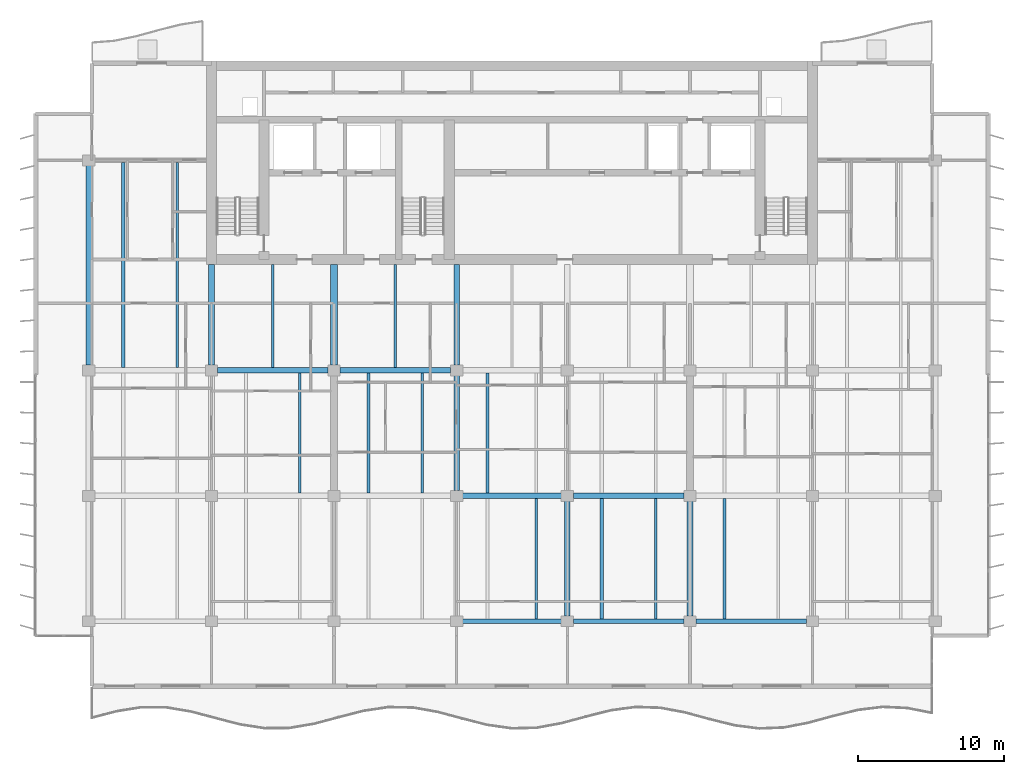
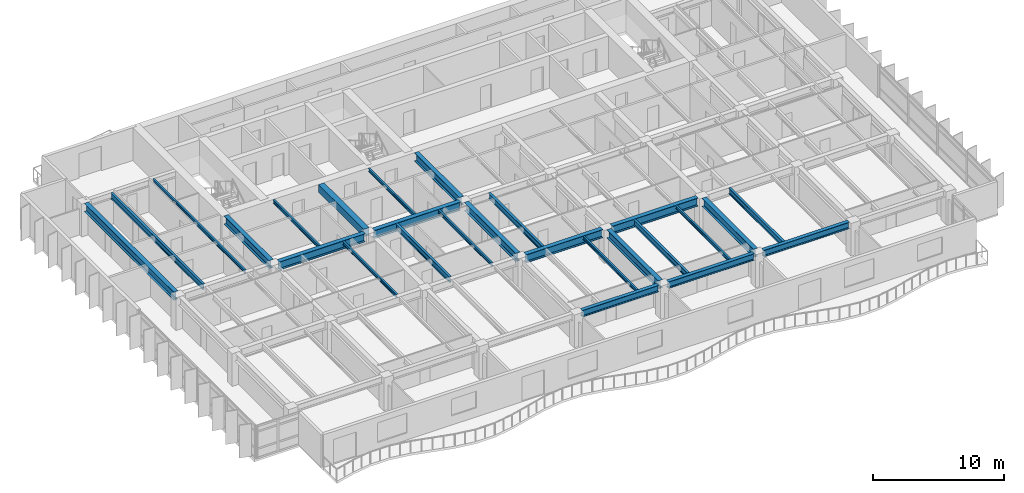
# One storey, part 3 of 17: 26 beams.
"""IFC4 building model written with IfcOpenShell, lengths in metres."""

from ifc_helpers import new_model, si_unit, direction, frame, origin, origin_2d, place, context, subcontext, project, spatial, rectangle, i_section, extrude, material, material_profile, profile_set, type_object, element, save


model = new_model("IFC4")

# Units and contexts
model_context = context("Model", 3, precision=1e-05, world=origin(), true_north=direction((0.0, 1.0)))
body_context = subcontext(model_context, "Body", "Model", "MODEL_VIEW")
ifc_project = project(units=[si_unit("LENGTHUNIT", "METRE"), si_unit("AREAUNIT", "SQUARE_METRE"), si_unit("VOLUMEUNIT", "CUBIC_METRE"), si_unit("PLANEANGLEUNIT", "RADIAN"), si_unit("MASSUNIT", "GRAM", prefix="KILO")], contexts=[model_context])

# Site, building, storey
site_placement = place(None, origin())
site = spatial("IfcSite", under=ifc_project, at=site_placement, CompositionType="ELEMENT")
building_placement = place(site_placement, origin())
building = spatial("IfcBuilding", under=site, at=building_placement, Name="Caelmar Bay Residences", CompositionType="ELEMENT")
storey_placement = place(building_placement, frame((0.0, 0.0, 208.199951171875)))
storey = spatial("IfcBuildingStorey", under=building, at=storey_placement, Name="L58", CompositionType="ELEMENT", Elevation=208.199951171875)

# Beams
ifc_material_1 = material(Name="Steel ASTM A992 Grade 50", Category="steel")
ifc_material_profile_1 = material_profile(ifc_material_1, i_section(OverallWidth=0.381103515625, OverallDepth=0.77197265625, WebThickness=0.0166015625, FlangeThickness=0.027099609375, FilletRadius=0.0166015625, at=origin_2d()), Name="W30X173")
ifc_profile_set_1 = profile_set([ifc_material_profile_1], Name="Steel ASTM A992 Grade 50")
beam_type_1 = type_object("IfcBeamType", Name="BM-GRD-W30X173", PredefinedType="BEAM", material=ifc_profile_set_1)
beam_1_placement = place(storey_placement, frame((35.514892578125, 20.800048828125, 2.6640625), z_axis=(1.0, 0.0, 0.0), x_axis=(0.0, 1.0, 0.0)))
element("IfcBeam", 1, at=beam_1_placement, inside=storey, type_object=beam_type_1, Name="L58 East-West Girder Y=20.80 (35.1-42.7)", PredefinedType="BEAM", context=body_context, shape_type="SweptSolid", body=[
    extrude(i_section(OverallWidth=0.381103515625, OverallDepth=0.77197265625, WebThickness=0.0166015625, FlangeThickness=0.027099609375, FilletRadius=0.0166015625, at=origin_2d()), origin(), (0.0, 0.0, 1.0), 6.77001953125),
])
beam_2_placement = place(storey_placement, frame((43.114990234375, 20.800048828125, 2.6640625), z_axis=(1.0, 0.0, 0.0), x_axis=(0.0, 1.0, 0.0)))
element("IfcBeam", 2, at=beam_2_placement, inside=storey, type_object=beam_type_1, Name="L58 East-West Girder Y=20.80 (42.7-51.1)", PredefinedType="BEAM", context=body_context, shape_type="SweptSolid", body=[
    extrude(i_section(OverallWidth=0.381103515625, OverallDepth=0.77197265625, WebThickness=0.0166015625, FlangeThickness=0.027099609375, FilletRadius=0.0166015625, at=origin_2d()), origin(), (0.0, 0.0, 1.0), 7.570068359375),
])
beam_3_placement = place(storey_placement, frame((18.715087890625, 29.39990234375, 2.6640625), z_axis=(1.0, 0.0, 0.0), x_axis=(0.0, 1.0, 0.0)))
element("IfcBeam", 3, at=beam_3_placement, inside=storey, type_object=beam_type_1, Name="L58 East-West Girder Y=29.40 (18.3-26.7)", PredefinedType="BEAM", context=body_context, shape_type="SweptSolid", body=[
    extrude(i_section(OverallWidth=0.381103515625, OverallDepth=0.77197265625, WebThickness=0.0166015625, FlangeThickness=0.027099609375, FilletRadius=0.0166015625, at=origin_2d()), origin(), (0.0, 0.0, 1.0), 7.56982421875),
])
beam_4_placement = place(storey_placement, frame((27.114990234375, 29.39990234375, 2.6640625), z_axis=(1.0, 0.0, 0.0), x_axis=(0.0, 1.0, 0.0)))
element("IfcBeam", 4, at=beam_4_placement, inside=storey, type_object=beam_type_1, Name="L58 East-West Girder Y=29.40 (26.7-35.1)", PredefinedType="BEAM", context=body_context, shape_type="SweptSolid", body=[
    extrude(i_section(OverallWidth=0.381103515625, OverallDepth=0.77197265625, WebThickness=0.0166015625, FlangeThickness=0.027099609375, FilletRadius=0.0166015625, at=origin_2d()), origin(), (0.0, 0.0, 1.0), 7.570068359375),
])
beam_5_placement = place(storey_placement, frame((9.89990234375, 29.764892578125, 2.6640625), z_axis=(0.0, 1.0, 0.0), x_axis=(-1.0, 0.0, 0.0)))
element("IfcBeam", 5, at=beam_5_placement, inside=storey, type_object=beam_type_1, Name="L58 North-South Girder X=9.90 (29.4-43.8)", PredefinedType="BEAM", context=body_context, shape_type="SweptSolid", body=[
    extrude(i_section(OverallWidth=0.381103515625, OverallDepth=0.77197265625, WebThickness=0.0166015625, FlangeThickness=0.027099609375, FilletRadius=0.0166015625, at=origin_2d()), origin(), (0.0, 0.0, 1.0), 13.670166015625),
])
for number, where, z_axis, x_axis, name in (
    (6, (18.300048828125, 29.764892578125, 2.6640625), (0.0, 1.0, 0.0), (-1.0, 0.0, 0.0), "L58 Core Tie Girder X=18.30"),
    (7, (35.10009765625, 29.764892578125, 2.6640625), (0.0, 1.0, 0.0), (-1.0, 0.0, 0.0), "L58 Core Tie Girder X=35.10"),
):
    element("IfcBeam", number, at=place(storey_placement, frame(where, z_axis=z_axis, x_axis=x_axis)), inside=storey, type_object=beam_type_1, Name=name, PredefinedType="BEAM", context=body_context, shape_type="SweptSolid", body=[
        extrude(i_section(OverallWidth=0.381103515625, OverallDepth=0.77197265625, WebThickness=0.0166015625, FlangeThickness=0.027099609375, FilletRadius=0.0166015625, at=origin_2d()), origin(), (0.0, 0.0, 1.0), 6.885009765625),
    ])
beam_6_placement = place(storey_placement, frame((35.10009765625, 21.1650390625, 2.6640625), z_axis=(0.0, 1.0, 0.0), x_axis=(-1.0, 0.0, 0.0)))
element("IfcBeam", 8, at=beam_6_placement, inside=storey, type_object=beam_type_1, Name="L58 North-South Girder X=35.10 (20.8-29.4)", PredefinedType="BEAM", context=body_context, shape_type="SweptSolid", body=[
    extrude(i_section(OverallWidth=0.381103515625, OverallDepth=0.77197265625, WebThickness=0.0166015625, FlangeThickness=0.027099609375, FilletRadius=0.0166015625, at=origin_2d()), origin(), (0.0, 0.0, 1.0), 7.869873046875),
])
for number, where, z_axis, x_axis, name in (
    (9, (42.699951171875, 12.56494140625, 2.6640625), (0.0, 1.0, 0.0), (-1.0, 0.0, 0.0), "L58 North-South Girder X=42.70 (12.2-20.8)"),
    (10, (51.10009765625, 12.56494140625, 2.6640625), (0.0, 1.0, 0.0), (-1.0, 0.0, 0.0), "L58 North-South Girder X=51.10 (12.2-20.8)"),
):
    element("IfcBeam", number, at=place(storey_placement, frame(where, z_axis=z_axis, x_axis=x_axis)), inside=storey, type_object=beam_type_1, Name=name, PredefinedType="BEAM", context=body_context, shape_type="SweptSolid", body=[
        extrude(i_section(OverallWidth=0.381103515625, OverallDepth=0.77197265625, WebThickness=0.0166015625, FlangeThickness=0.027099609375, FilletRadius=0.0166015625, at=origin_2d()), origin(), (0.0, 0.0, 1.0), 7.8701171875),
    ])
ifc_material_profile_2 = material_profile(ifc_material_1, i_section(OverallWidth=0.1650390625, OverallDepth=0.31005859375, WebThickness=0.005859375, FlangeThickness=0.009765625, FilletRadius=0.007568359375, at=origin_2d()), Name="W12X26")
ifc_profile_set_2 = profile_set([ifc_material_profile_2], Name="Steel ASTM A992 Grade 50")
beam_type_2 = type_object("IfcBeamType", Name="BM-JST-W12X26", PredefinedType="JOIST", material=ifc_profile_set_2)
for number, where, z_axis, x_axis, name in (
    (11, (40.572021484375, 12.362548828125, 2.89501953125), (0.0, 1.0, 0.0), (-1.0, 0.0, 0.0), "L58 Composite Floor Joist 8"),
    (12, (48.748046875, 12.362548828125, 2.89501953125), (0.0, 1.0, 0.0), (-1.0, 0.0, 0.0), "L58 Composite Floor Joist 10"),
):
    element("IfcBeam", number, at=place(storey_placement, frame(where, z_axis=z_axis, x_axis=x_axis)), inside=storey, type_object=beam_type_2, Name=name, PredefinedType="JOIST", context=body_context, shape_type="SweptSolid", body=[
        extrude(i_section(OverallWidth=0.1650390625, OverallDepth=0.31005859375, WebThickness=0.005859375, FlangeThickness=0.009765625, FilletRadius=0.007568359375, at=origin_2d()), origin(), (0.0, 0.0, 1.0), 8.2470703125),
    ])
for number, where, z_axis, x_axis, name in (
    (13, (24.347900390625, 20.990478515625, 2.89501953125), (0.0, 1.0, 0.0), (-1.0, 0.0, 0.0), "L58 Composite Floor Joist 18"),
    (14, (32.748046875, 20.990478515625, 2.89501953125), (0.0, 1.0, 0.0), (-1.0, 0.0, 0.0), "L58 Composite Floor Joist 20"),
):
    element("IfcBeam", number, at=place(storey_placement, frame(where, z_axis=z_axis, x_axis=x_axis)), inside=storey, type_object=beam_type_2, Name=name, PredefinedType="JOIST", context=body_context, shape_type="SweptSolid", body=[
        extrude(i_section(OverallWidth=0.1650390625, OverallDepth=0.31005859375, WebThickness=0.005859375, FlangeThickness=0.009765625, FilletRadius=0.007568359375, at=origin_2d()), origin(), (0.0, 0.0, 1.0), 8.218994140625),
    ])
for number, where, z_axis, x_axis, name in (
    (15, (22.5, 29.590576171875, 2.89501953125), (0.0, 1.0, 0.0), (-1.0, 0.0, 0.0), "L58 Core-Band Composite Joist 29"),
    (16, (30.89990234375, 29.590576171875, 2.89501953125), (0.0, 1.0, 0.0), (-1.0, 0.0, 0.0), "L58 Core-Band Composite Joist 30"),
):
    element("IfcBeam", number, at=place(storey_placement, frame(where, z_axis=z_axis, x_axis=x_axis)), inside=storey, type_object=beam_type_2, Name=name, PredefinedType="JOIST", context=body_context, shape_type="SweptSolid", body=[
        extrude(i_section(OverallWidth=0.1650390625, OverallDepth=0.31005859375, WebThickness=0.005859375, FlangeThickness=0.009765625, FilletRadius=0.007568359375, at=origin_2d()), origin(), (0.0, 0.0, 1.0), 7.059326171875),
    ])
beam_7_placement = place(storey_placement, frame((15.947998046875, 29.590576171875, 2.89501953125), z_axis=(0.0, 1.0, 0.0), x_axis=(-1.0, 0.0, 0.0)))
element("IfcBeam", 17, at=beam_7_placement, inside=storey, type_object=beam_type_2, Name="L58 Composite Floor Joist 35", PredefinedType="JOIST", context=body_context, shape_type="SweptSolid", body=[
    extrude(i_section(OverallWidth=0.1650390625, OverallDepth=0.31005859375, WebThickness=0.005859375, FlangeThickness=0.009765625, FilletRadius=0.007568359375, at=origin_2d()), origin(), (0.0, 0.0, 1.0), 14.046875),
])
ifc_material_profile_3 = material_profile(ifc_material_1, i_section(OverallWidth=0.2099609375, OverallDepth=0.535888671875, WebThickness=0.010986328125, FlangeThickness=0.017333984375, FilletRadius=0.0126953125, at=origin_2d()), Name="W21X68")
ifc_profile_set_3 = profile_set([ifc_material_profile_3], Name="Steel ASTM A992 Grade 50")
beam_type_3 = type_object("IfcBeamType", Name="BM-JST-W21X68", PredefinedType="JOIST", material=ifc_profile_set_3)
for number, where, z_axis, x_axis, name in (
    (18, (45.052001953125, 12.362548828125, 2.781982421875), (0.0, 1.0, 0.0), (-1.0, 0.0, 0.0), "L58 Composite Floor Joist 9"),
    (19, (53.451904296875, 12.362548828125, 2.781982421875), (0.0, 1.0, 0.0), (-1.0, 0.0, 0.0), "L58 Composite Floor Joist 11"),
):
    element("IfcBeam", number, at=place(storey_placement, frame(where, z_axis=z_axis, x_axis=x_axis)), inside=storey, type_object=beam_type_3, Name=name, PredefinedType="JOIST", context=body_context, shape_type="SweptSolid", body=[
        extrude(i_section(OverallWidth=0.2099609375, OverallDepth=0.535888671875, WebThickness=0.010986328125, FlangeThickness=0.017333984375, FilletRadius=0.0126953125, at=origin_2d()), origin(), (0.0, 0.0, 1.0), 8.2470703125),
    ])
for number, where, z_axis, x_axis, name in (
    (20, (29.052001953125, 20.990478515625, 2.781982421875), (0.0, 1.0, 0.0), (-1.0, 0.0, 0.0), "L58 Composite Floor Joist 19"),
    (21, (37.22802734375, 20.990478515625, 2.781982421875), (0.0, 1.0, 0.0), (-1.0, 0.0, 0.0), "L58 Composite Floor Joist 21"),
):
    element("IfcBeam", number, at=place(storey_placement, frame(where, z_axis=z_axis, x_axis=x_axis)), inside=storey, type_object=beam_type_3, Name=name, PredefinedType="JOIST", context=body_context, shape_type="SweptSolid", body=[
        extrude(i_section(OverallWidth=0.2099609375, OverallDepth=0.535888671875, WebThickness=0.010986328125, FlangeThickness=0.017333984375, FilletRadius=0.0126953125, at=origin_2d()), origin(), (0.0, 0.0, 1.0), 8.218994140625),
    ])
beam_8_placement = place(storey_placement, frame((12.251953125, 29.590576171875, 2.781982421875), z_axis=(0.0, 1.0, 0.0), x_axis=(-1.0, 0.0, 0.0)))
element("IfcBeam", 22, at=beam_8_placement, inside=storey, type_object=beam_type_3, Name="L58 Composite Floor Joist 34", PredefinedType="JOIST", context=body_context, shape_type="SweptSolid", body=[
    extrude(i_section(OverallWidth=0.2099609375, OverallDepth=0.535888671875, WebThickness=0.010986328125, FlangeThickness=0.017333984375, FilletRadius=0.0126953125, at=origin_2d()), origin(), (0.0, 0.0, 1.0), 14.046875),
])
ifc_material_2 = material(Name="Concrete f'c 55 MPa (8,000 psi)", Category="concrete")
ifc_material_profile_4 = material_profile(ifc_material_2, rectangle(XDim=0.5, YDim=0.699951171875, at=origin_2d()), Name="RC-BM-500X700")
ifc_profile_set_4 = profile_set([ifc_material_profile_4], Name="Concrete f'c 55 MPa (8,000 psi)")
beam_type_4 = type_object("IfcBeamType", Name="BM-RC-500X700", PredefinedType="LINTEL", material=ifc_profile_set_4)
beam_9_placement = place(storey_placement, frame((26.699951171875, 29.764892578125, 2.699951171875), z_axis=(0.0, 1.0, 0.0), x_axis=(-1.0, 0.0, 0.0)))
element("IfcBeam", 23, at=beam_9_placement, inside=storey, type_object=beam_type_4, Name="L58 Shear-Wall Corridor Coupling Lintel W5", PredefinedType="LINTEL", context=body_context, shape_type="SweptSolid", body=[
    extrude(rectangle(XDim=0.5, YDim=0.699951171875, at=origin_2d()), origin(), (0.0, 0.0, 1.0), 6.885009765625),
])
ifc_material_profile_5 = material_profile(ifc_material_1, i_section(OverallWidth=0.324951171875, OverallDepth=0.616943359375, WebThickness=0.013916015625, FlangeThickness=0.021484375, FilletRadius=0.0126953125, at=origin_2d()), Name="W24X117")
ifc_profile_set_5 = profile_set([ifc_material_profile_5], Name="Steel ASTM A992 Grade 50")
beam_type_5 = type_object("IfcBeamType", Name="BM-SPN-W24X117", PredefinedType="SPANDREL", material=ifc_profile_set_5)
beam_10_placement = place(storey_placement, frame((35.514892578125, 12.199951171875, 2.741455078125), z_axis=(1.0, 0.0, 0.0), x_axis=(0.0, 1.0, 0.0)))
element("IfcBeam", 24, at=beam_10_placement, inside=storey, type_object=beam_type_5, Name="L58 East-West Girder Y=12.20 (35.1-42.7)", PredefinedType="SPANDREL", context=body_context, shape_type="SweptSolid", body=[
    extrude(i_section(OverallWidth=0.324951171875, OverallDepth=0.616943359375, WebThickness=0.013916015625, FlangeThickness=0.021484375, FilletRadius=0.0126953125, at=origin_2d()), origin(), (0.0, 0.0, 1.0), 6.77001953125),
])
for number, where, z_axis, x_axis, name in (
    (25, (43.114990234375, 12.199951171875, 2.741455078125), (1.0, 0.0, 0.0), (0.0, 1.0, 0.0), "L58 East-West Girder Y=12.20 (42.7-51.1)"),
    (26, (51.514892578125, 12.199951171875, 2.741455078125), (1.0, 0.0, 0.0), (0.0, 1.0, 0.0), "L58 East-West Girder Y=12.20 (51.1-59.5)"),
):
    element("IfcBeam", number, at=place(storey_placement, frame(where, z_axis=z_axis, x_axis=x_axis)), inside=storey, type_object=beam_type_5, Name=name, PredefinedType="SPANDREL", context=body_context, shape_type="SweptSolid", body=[
        extrude(i_section(OverallWidth=0.324951171875, OverallDepth=0.616943359375, WebThickness=0.013916015625, FlangeThickness=0.021484375, FilletRadius=0.0126953125, at=origin_2d()), origin(), (0.0, 0.0, 1.0), 7.570068359375),
    ])

save(model, "model.ifc")
